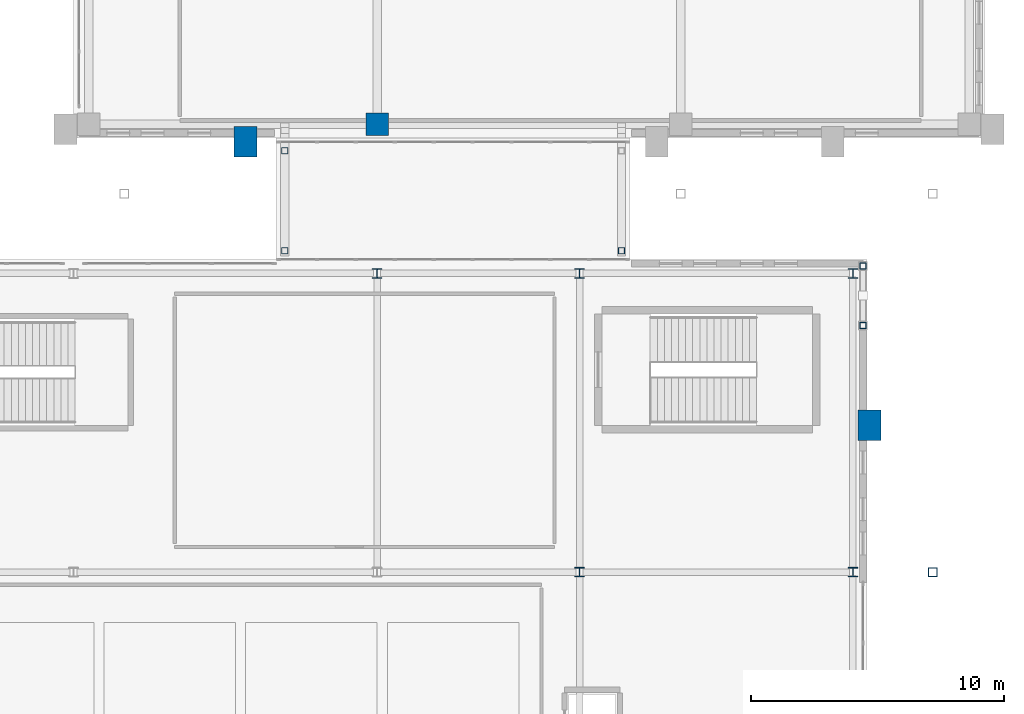
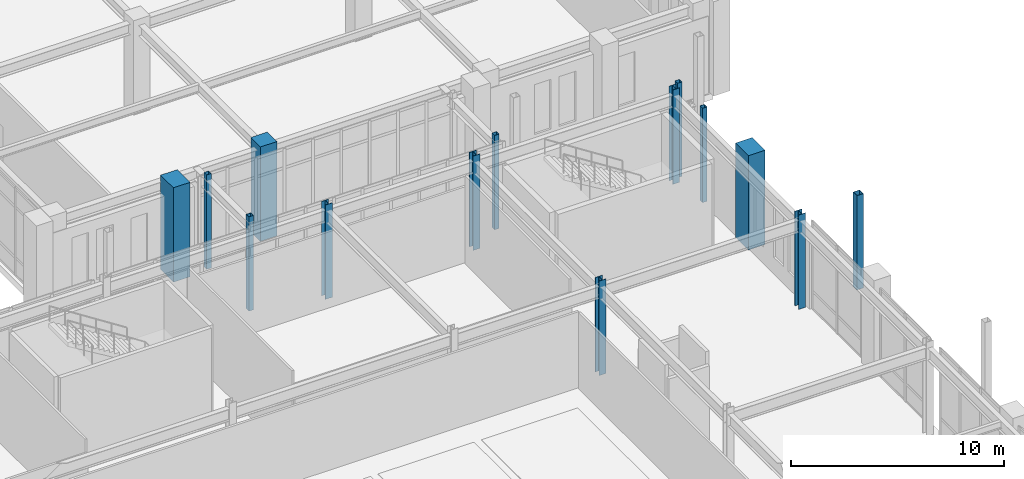
# One storey, part 13 of 159: 14 columns.
"""IFC4 building model written with IfcOpenShell, lengths in metres."""

from ifc_helpers import new_model, si_unit, derived_unit, direction, frame, origin, origin_2d, place, context, subcontext, project, spatial, rectangle, hollow_rectangle, i_section, extrude, material, material_profile, profile_set, type_object, element, save


model = new_model("IFC4")

# Units and contexts
model_context = context("Model", 3, precision=1e-05, world=origin(), true_north=direction((0.0, 1.0)))
body_context = subcontext(model_context, "Body", "Model", "MODEL_VIEW")
ifc_project = project(units=[si_unit("LENGTHUNIT", "METRE"), si_unit("AREAUNIT", "SQUARE_METRE"), si_unit("VOLUMEUNIT", "CUBIC_METRE"), si_unit("PLANEANGLEUNIT", "RADIAN"), si_unit("MASSUNIT", "GRAM", prefix="KILO"), derived_unit("THERMALTRANSMITTANCEUNIT", [(si_unit("MASSUNIT", "GRAM", prefix="KILO"), 1), (si_unit("TIMEUNIT", "SECOND"), -3), (si_unit("THERMODYNAMICTEMPERATUREUNIT", "KELVIN"), -1)])], contexts=[model_context])

# Site, building, storey
site_placement = place(None, origin())
site = spatial("IfcSite", under=ifc_project, at=site_placement, CompositionType="ELEMENT")
building_placement = place(site_placement, origin())
building = spatial("IfcBuilding", under=site, at=building_placement, Name="Valcora Ridge Arena", CompositionType="ELEMENT")
storey_placement = place(building_placement, frame((0.0, 0.0, 6.0)))
storey = spatial("IfcBuildingStorey", under=building, at=storey_placement, Name="L01", CompositionType="ELEMENT", Elevation=6.0)

# Columns
ifc_material_1 = material(Name="Steel ASTM A500 Grade C", Category="steel")
ifc_material_profile_1 = material_profile(ifc_material_1, hollow_rectangle(XDim=0.25, YDim=0.25, WallThickness=0.012451171875, at=origin_2d()), Name="HSS250X250X12")
ifc_profile_set_1 = profile_set([ifc_material_profile_1], Name="Steel ASTM A500 Grade C")
column_type_1 = type_object("IfcColumnType", Name="TY-COLUMN-C-BRG250", PredefinedType="COLUMN", material=ifc_profile_set_1)
for number, where, z_axis, x_axis, name in (
    (1, (164.35009765625, 78.699951171875, 0.0), (0.0, 0.0, 1.0), (1.0, 0.0, 0.0), "C-BRG250 COL-BG-C-BRG250-0018"),
    (2, (177.64990234375, 78.699951171875, 0.0), (0.0, 0.0, 1.0), (1.0, 0.0, 0.0), "C-BRG250 COL-BG-C-BRG250-0021"),
    (3, (164.35009765625, 82.64990234375, 0.0), (0.0, 0.0, 1.0), (1.0, 0.0, 0.0), "C-BRG250 COL-BG-C-BRG250-0024"),
):
    element("IfcColumn", number, at=place(storey_placement, frame(where, z_axis=z_axis, x_axis=x_axis)), inside=storey, type_object=column_type_1, Name=name, PredefinedType="COLUMN", context=body_context, shape_type="SweptSolid", body=[
        extrude(hollow_rectangle(XDim=0.25, YDim=0.25, WallThickness=0.012451171875, at=origin_2d()), origin(), (0.0, 0.0, 1.0), 5.39990234375),
    ])
ifc_material_2 = material(Name="Bush-hammered Andean travertine architectural concrete C45/55", Category="masonry")
ifc_material_profile_2 = material_profile(ifc_material_2, rectangle(XDim=0.89990234375, YDim=1.199951171875, at=origin_2d()), Name="RC 900x1200")
ifc_profile_set_2 = profile_set([ifc_material_profile_2], Name="Bush-hammered Andean travertine architectural concrete C45/55")
column_type_2 = type_object("IfcColumnType", Name="TY-COLUMN-C-BUTT-1200", PredefinedType="PILASTER", material=ifc_profile_set_2)
for number, where, z_axis, x_axis, name in (
    (4, (162.800048828125, 83.0, 0.0), (0.0, 0.0, 1.0), (1.0, 0.0, 0.0), "C-BUTT-1200 COL-C-BUTT-1200-0265"),
    (5, (187.449951171875, 71.800048828125, 0.0), (0.0, 0.0, 1.0), (1.0, 0.0, 0.0), "C-BUTT-1200 COL-C-BUTT-1200-0387"),
):
    element("IfcColumn", number, at=place(storey_placement, frame(where, z_axis=z_axis, x_axis=x_axis)), inside=storey, type_object=column_type_2, Name=name, PredefinedType="PILASTER", context=body_context, shape_type="SweptSolid", body=[
        extrude(rectangle(XDim=0.89990234375, YDim=1.199951171875, at=origin_2d()), origin(), (0.0, 0.0, 1.0), 5.39990234375),
    ])
ifc_material_profile_3 = material_profile(ifc_material_1, hollow_rectangle(XDim=0.25, YDim=0.25, WallThickness=0.012451171875, at=origin_2d()), Name="HSS250X250X12")
ifc_profile_set_3 = profile_set([ifc_material_profile_3], Name="Steel ASTM A500 Grade C")
column_type_3 = type_object("IfcColumnType", Name="TY-COLUMN-C-CBF250", PredefinedType="COLUMN", material=ifc_profile_set_3)
for number, where, z_axis, x_axis, name in (
    (6, (187.199951171875, 75.75, 0.0), (0.0, 0.0, 1.0), (1.0, 0.0, 0.0), "C-CBF250 COL-CBF-C-CBF250-0008"),
    (7, (187.199951171875, 78.10009765625, 0.0), (0.0, 0.0, 1.0), (1.0, 0.0, 0.0), "C-CBF250 COL-CBF-C-CBF250-0011"),
):
    element("IfcColumn", number, at=place(storey_placement, frame(where, z_axis=z_axis, x_axis=x_axis)), inside=storey, type_object=column_type_3, Name=name, PredefinedType="COLUMN", context=body_context, shape_type="SweptSolid", body=[
        extrude(hollow_rectangle(XDim=0.25, YDim=0.25, WallThickness=0.012451171875, at=origin_2d()), origin(), (0.0, 0.0, 1.0), 5.39990234375),
    ])
ifc_material_profile_4 = material_profile(ifc_material_1, hollow_rectangle(XDim=0.35009765625, YDim=0.35009765625, WallThickness=0.01611328125, at=origin_2d()), Name="HSS350X350X16")
ifc_profile_set_4 = profile_set([ifc_material_profile_4], Name="Steel ASTM A500 Grade C")
column_type_4 = type_object("IfcColumnType", Name="TY-COLUMN-C-COL350", PredefinedType="COLUMN", material=ifc_profile_set_4)
column_1_placement = place(storey_placement, frame((189.949951171875, 66.0, 0.0), z_axis=(0.0, 0.0, 1.0), x_axis=(1.0, 0.0, 0.0)))
element("IfcColumn", 8, at=column_1_placement, inside=storey, type_object=column_type_4, Name="C-COL350 COL-C-COL350-0038", PredefinedType="COLUMN", context=body_context, shape_type="SweptSolid", body=[
    extrude(hollow_rectangle(XDim=0.35009765625, YDim=0.35009765625, WallThickness=0.01611328125, at=origin_2d()), origin(), (0.0, 0.0, 1.0), 5.39990234375),
])
ifc_material_3 = material(Name="Concrete C40/50", Category="concrete")
ifc_material_profile_5 = material_profile(ifc_material_3, rectangle(XDim=0.89990234375, YDim=0.89990234375, at=origin_2d()), Name="RC 900x900")
ifc_profile_set_5 = profile_set([ifc_material_profile_5], Name="Concrete C40/50")
column_type_5 = type_object("IfcColumnType", Name="TY-COLUMN-C-RC900B", PredefinedType="COLUMN", material=ifc_profile_set_5)
column_2_placement = place(storey_placement, frame((168.0, 83.699951171875, 0.0), z_axis=(0.0, 0.0, 1.0), x_axis=(1.0, 0.0, 0.0)))
element("IfcColumn", 9, at=column_2_placement, inside=storey, type_object=column_type_5, Name="C-RC900B COL-C-RC900B-0144", PredefinedType="COLUMN", context=body_context, shape_type="SweptSolid", body=[
    extrude(rectangle(XDim=0.89990234375, YDim=0.89990234375, at=origin_2d()), origin(), (0.0, 0.0, 1.0), 5.39990234375),
])
ifc_material_4 = material(Name="Steel ASTM A572 Grade 50", Category="steel")
ifc_material_profile_6 = material_profile(ifc_material_4, i_section(OverallWidth=0.3740234375, OverallDepth=0.373046875, WebThickness=0.016357421875, FlangeThickness=0.026123046875, FilletRadius=0.01806640625, at=origin_2d()), Name="W14X132")
ifc_profile_set_6 = profile_set([ifc_material_profile_6], Name="Steel ASTM A572 Grade 50")
column_type_6 = type_object("IfcColumnType", Name="TY-COLUMN-C-STL14B", PredefinedType="COLUMN", material=ifc_profile_set_6)
for number, where, z_axis, x_axis, name in (
    (10, (168.0, 77.800048828125, 0.0), (0.0, 0.0, 1.0), (1.0, 0.0, 0.0), "C-STL14B COL-C-STL14B-0043"),
    (11, (176.0, 66.0, 0.0), (0.0, 0.0, 1.0), (1.0, 0.0, 0.0), "C-STL14B COL-C-STL14B-0053"),
    (12, (176.0, 77.800048828125, 0.0), (0.0, 0.0, 1.0), (1.0, 0.0, 0.0), "C-STL14B COL-C-STL14B-0055"),
    (13, (186.800048828125, 66.0, 0.0), (0.0, 0.0, 1.0), (1.0, 0.0, 0.0), "C-STL14B COL-C-STL14B-0067"),
    (14, (186.800048828125, 77.800048828125, 0.0), (0.0, 0.0, 1.0), (1.0, 0.0, 0.0), "C-STL14B COL-C-STL14B-0069"),
):
    element("IfcColumn", number, at=place(storey_placement, frame(where, z_axis=z_axis, x_axis=x_axis)), inside=storey, type_object=column_type_6, Name=name, PredefinedType="COLUMN", context=body_context, shape_type="SweptSolid", body=[
        extrude(i_section(OverallWidth=0.3740234375, OverallDepth=0.373046875, WebThickness=0.016357421875, FlangeThickness=0.026123046875, FilletRadius=0.01806640625, at=origin_2d()), origin(), (0.0, 0.0, 1.0), 5.39990234375),
    ])

save(model, "model.ifc")
